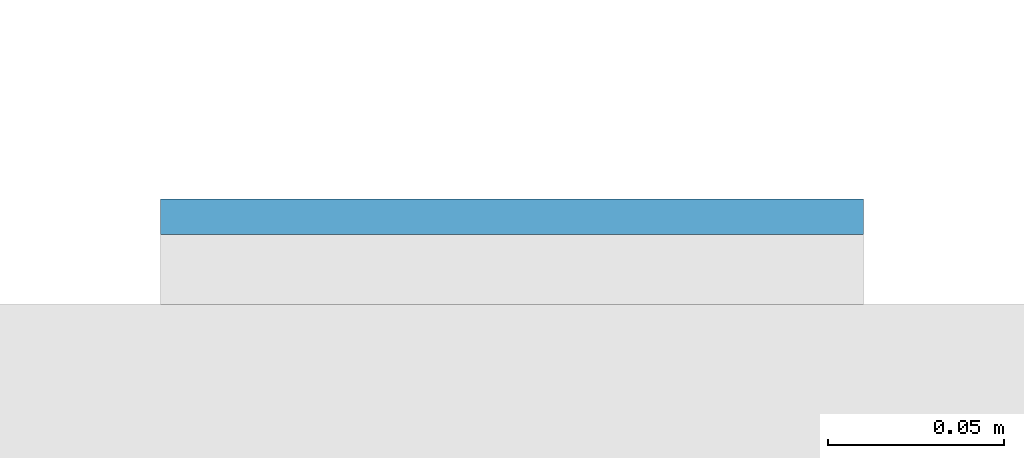
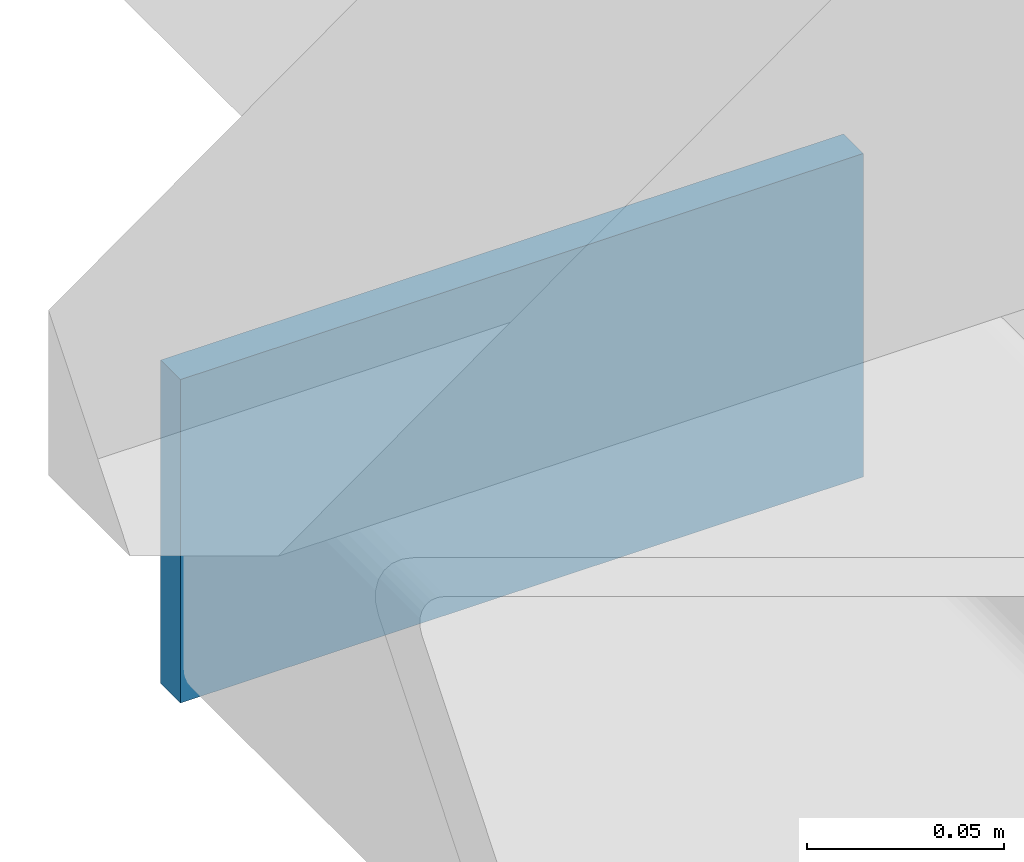
# One storey, part 9 of 20: 1 plate.
"""IFC4 building model written with IfcOpenShell, lengths in metres."""

from ifc_helpers import new_model, si_unit, direction, frame, origin, origin_2d, place, context, subcontext, project, spatial, rectangle, extrude, material, layer, layer_set, type_object, element, save


model = new_model("IFC4")

# Units and contexts
model_context = context("Model", 3, precision=1e-05, world=origin(), true_north=direction((0.0, 1.0)))
body_context = subcontext(model_context, "Body", "Model", "MODEL_VIEW")
ifc_project = project(units=[si_unit("LENGTHUNIT", "METRE"), si_unit("AREAUNIT", "SQUARE_METRE"), si_unit("VOLUMEUNIT", "CUBIC_METRE"), si_unit("PLANEANGLEUNIT", "RADIAN"), si_unit("MASSUNIT", "GRAM", prefix="KILO")], contexts=[model_context])

# Site, building, storey
site_placement = place(None, origin())
site = spatial("IfcSite", under=ifc_project, at=site_placement, CompositionType="ELEMENT")
building_placement = place(site_placement, origin())
building = spatial("IfcBuilding", under=site, at=building_placement, Name="Cleftline Residences", CompositionType="ELEMENT")
storey_placement = place(building_placement, frame((0.0, 0.0, 214.60009765625)))
storey = spatial("IfcBuildingStorey", under=building, at=storey_placement, Name="L56", CompositionType="ELEMENT", Elevation=214.60009765625)

# Plate
ifc_material = material(Name="Steel S355, hot-dip galvanised", Category="steel")
ifc_layer = layer(ifc_material, 0.010009765625)
ifc_layer_set = layer_set([ifc_layer], Name="BAGUETTE CARRIER END PLATE 200X100X10")
plate_type = type_object("IfcPlateType", Name="BAGUETTE CARRIER END PLATE 200X100X10", PredefinedType="USERDEFINED", material=ifc_layer_set)
plate_placement = place(storey_placement, frame((-0.85009765625, 44.304931640625, -0.10009765625), z_axis=(0.0, 0.0, 1.0), x_axis=(-1.0, 0.0, 0.0)))
element("IfcPlate", 1, at=plate_placement, inside=storey, type_object=plate_type, Name="Baguette carrier end plate", ObjectType="BAGUETTE CARRIER END PLATE", PredefinedType="USERDEFINED", context=body_context, shape_type="SweptSolid", body=[
    extrude(rectangle(XDim=0.199951171875, YDim=0.010009765625, at=origin_2d()), origin(), (0.0, 0.0, 1.0), 0.10009765625),
])

save(model, "model.ifc")
